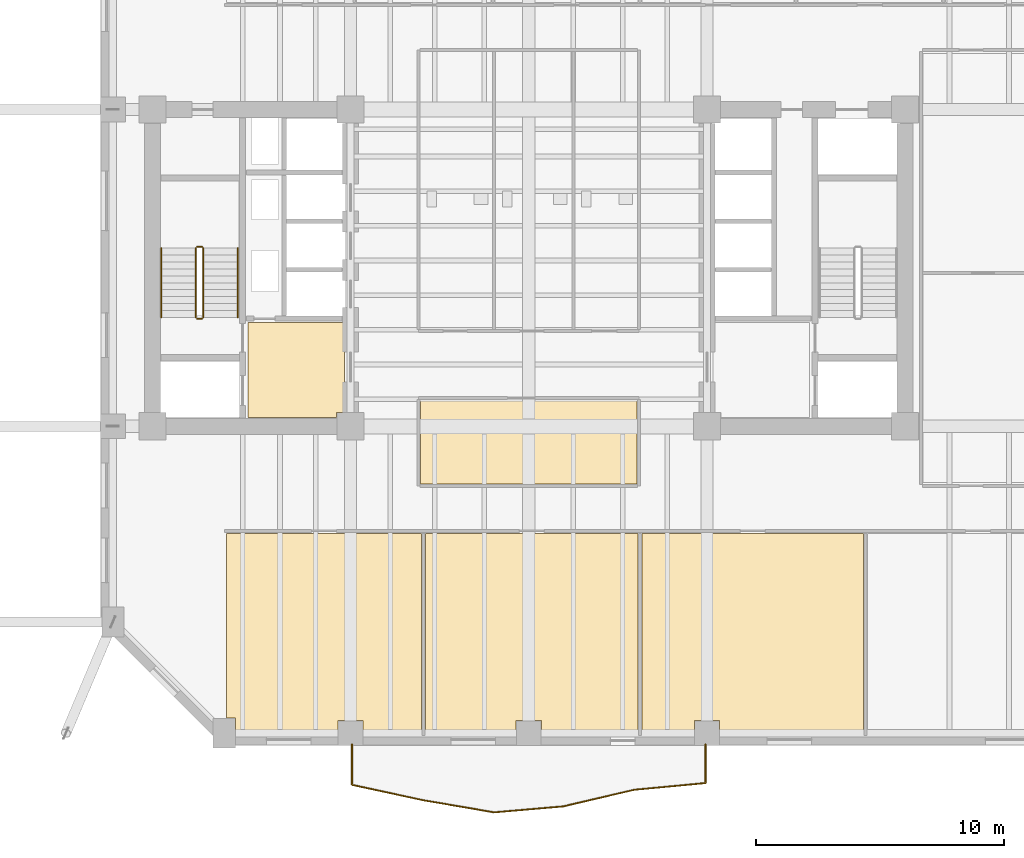
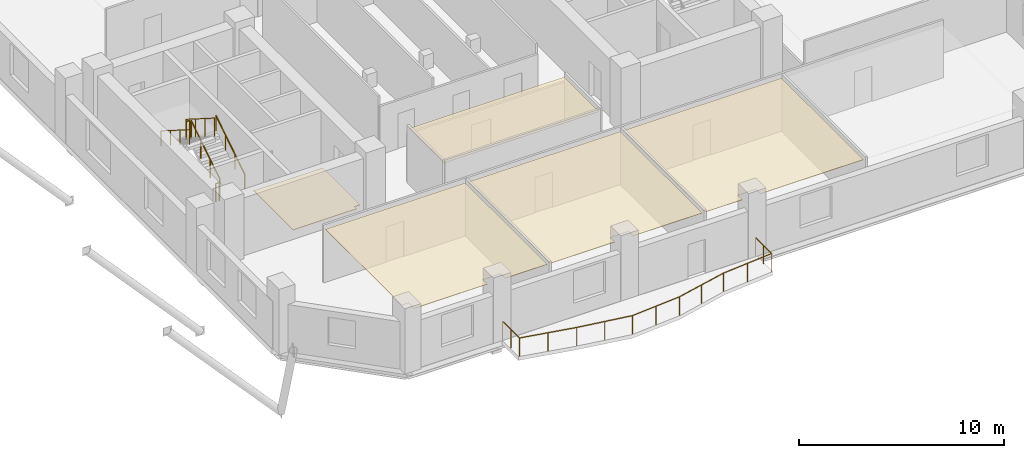
# One storey, part 9 of 12: 7 railings, 5 coverings.
"""IFC4 building model written with IfcOpenShell, lengths in metres."""

from ifc_helpers import new_model, si_unit, direction, frame, origin, origin_2d, place, context, subcontext, project, spatial, polyline, circle, outline, extrude, material, layer, layer_set, type_object, element, save


model = new_model("IFC4")

# Units and contexts
model_context = context("Model", 3, precision=1e-05, world=origin(), true_north=direction((0.0, 1.0)))
body_context = subcontext(model_context, "Body", "Model", "MODEL_VIEW")
ifc_project = project(units=[si_unit("LENGTHUNIT", "METRE"), si_unit("AREAUNIT", "SQUARE_METRE"), si_unit("VOLUMEUNIT", "CUBIC_METRE"), si_unit("PLANEANGLEUNIT", "RADIAN"), si_unit("MASSUNIT", "GRAM", prefix="KILO")], contexts=[model_context])

# Site, building, storey
site_placement = place(None, origin())
site = spatial("IfcSite", under=ifc_project, at=site_placement, CompositionType="ELEMENT")
building_placement = place(site_placement, origin())
building = spatial("IfcBuilding", under=site, at=building_placement, Name="Kranthara Brick Stack", CompositionType="ELEMENT")
storey_placement = place(building_placement, frame((0.0, 0.0, 90.60009765625)))
storey = spatial("IfcBuildingStorey", under=building, at=storey_placement, Name="L22", CompositionType="ELEMENT", Elevation=90.60009765625)

# Coverings
ifc_material_1 = material(Name="Perforated mineral-fibre acoustic ceiling tile", Category="other")
ifc_layer_1 = layer(ifc_material_1, 0.02490234375)
ifc_layer_set_1 = layer_set([ifc_layer_1], Name="Perforated mineral-fibre acoustic ceiling tile")
covering_type_1 = type_object("IfcCoveringType", Name="COV-CEIL-ACOUSTIC", PredefinedType="CEILING", material=ifc_layer_set_1)
covering_1_placement = place(storey_placement, frame((0.0, 0.0, 3.179931640625)))
element("IfcCovering", 1, at=covering_1_placement, inside=storey, type_object=covering_type_1, Name="L22 L22 Central Executive Briefing Room Acoustic Ceiling", PredefinedType="CEILING", context=body_context, shape_type="SweptSolid", body=[
    extrude(outline(polyline([(32.3701171875, 18.47998046875), (32.3701171875, 21.8798828125), (23.6298828125, 21.8798828125), (23.6298828125, 18.47998046875), (32.3701171875, 18.47998046875)])), origin(), (0.0, 0.0, 1.0), 0.02490234375),
])
covering_2_placement = place(storey_placement, frame((0.0, 0.0, 3.179931640625)))
element("IfcCovering", 2, at=covering_2_placement, inside=storey, type_object=covering_type_1, Name="L22 L22 Meeting Room 1 Acoustic Ceiling", PredefinedType="CEILING", context=body_context, shape_type="SweptSolid", body=[
    extrude(outline(polyline([(23.669921875, 16.47998046875), (23.669921875, 8.469970703125), (21.31005859375, 8.469970703125), (21.31005859375, 8.909912109375), (20.2900390625, 8.909912109375), (20.2900390625, 8.469970703125), (16.159912109375, 8.469970703125), (16.159912109375, 9.010009765625), (15.780029296875, 9.010009765625), (15.780029296875, 16.47998046875), (23.669921875, 16.47998046875)])), origin(), (0.0, 0.0, 1.0), 0.02490234375),
])
covering_3_placement = place(storey_placement, frame((0.0, 0.0, 3.179931640625)))
element("IfcCovering", 3, at=covering_3_placement, inside=storey, type_object=covering_type_1, Name="L22 L22 Meeting Room 2 Acoustic Ceiling", PredefinedType="CEILING", context=body_context, shape_type="SweptSolid", body=[
    extrude(outline(polyline([(23.830078125, 8.469970703125), (23.830078125, 16.47998046875), (32.419921875, 16.47998046875), (32.419921875, 8.469970703125), (28.510009765625, 8.469970703125), (28.510009765625, 8.909912109375), (27.489990234375, 8.909912109375), (27.489990234375, 8.469970703125), (23.830078125, 8.469970703125)])), origin(), (0.0, 0.0, 1.0), 0.02490234375),
])
covering_4_placement = place(storey_placement, frame((0.0, 0.0, 3.179931640625)))
element("IfcCovering", 4, at=covering_4_placement, inside=storey, type_object=covering_type_1, Name="L22 L22 Boardroom 3 Acoustic Ceiling", PredefinedType="CEILING", context=body_context, shape_type="SweptSolid", body=[
    extrude(outline(polyline([(32.580078125, 8.469970703125), (32.580078125, 16.47998046875), (41.52001953125, 16.47998046875), (41.52001953125, 8.469970703125), (35.7099609375, 8.469970703125), (35.7099609375, 8.909912109375), (34.68994140625, 8.909912109375), (34.68994140625, 8.469970703125), (32.580078125, 8.469970703125)])), origin(), (0.0, 0.0, 1.0), 0.02490234375),
])
ifc_material_2 = material(Name="Honed terrazzo and porcelain floor finish", Category="stone")
ifc_layer_2 = layer(ifc_material_2, 0.030029296875)
ifc_layer_set_2 = layer_set([ifc_layer_2], Name="Honed terrazzo and porcelain floor finish")
covering_type_2 = type_object("IfcCoveringType", Name="COV-FLOR-STONE", PredefinedType="FLOORING", material=ifc_layer_set_2)
covering_5_placement = place(storey_placement, origin())
element("IfcCovering", 5, at=covering_5_placement, inside=storey, type_object=covering_type_2, Name="L22 Lift Lobby Stone Flooring", PredefinedType="FLOORING", context=body_context, shape_type="SweptSolid", body=[
    extrude(outline(polyline([(16.64990234375, 21.14990234375), (16.64990234375, 25.0), (20.550048828125, 25.0), (20.550048828125, 21.360107421875), (20.239990234375, 21.360107421875), (20.239990234375, 21.14990234375), (16.64990234375, 21.14990234375)])), origin(), (0.0, 0.0, 1.0), 0.02978515625),
])

# Railings
ifc_material_3 = material(Name="Bronze anodised aluminium and laminated glass balustrade", Category="aluminium")
railing_type_1 = type_object("IfcRailingType", Name="RL-BALC-1120", PredefinedType="BALUSTRADE", material=ifc_material_3)
railing_1_placement = place(storey_placement, frame((35.139892578125, 7.9599609375, 0.0)))
element("IfcRailing", 6, at=railing_1_placement, inside=storey, type_object=railing_type_1, Name="L22 South Rippling Balcony Balustrade", PredefinedType="BALUSTRADE", context=body_context, shape_type="SweptSolid", body=[
    extrude(circle(Radius=0.02392578125, at=origin_2d()), frame((0.0, 0.0, 1.09619140625), z_axis=(0.0, -1.0, 0.0), x_axis=(1.0, 0.0, 0.0)), (0.0, 0.0, 1.0), 1.57177734375),
    extrude(circle(Radius=0.02392578125, at=origin_2d()), frame((0.0, -1.57177734375, 1.09619140625), z_axis=(-0.995609679925, -0.09360216472, 0.0), x_axis=(0.09360216472, -0.995609679925, 0.0)), (0.0, 0.0, 1.0), 2.892578125),
    extrude(circle(Radius=0.02392578125, at=origin_2d()), frame((-2.8798828125, -1.842529296875, 1.09619140625), z_axis=(-0.973732347565, -0.227695663785, 0.0), x_axis=(0.227695663785, -0.973732347565, 0.0)), (0.0, 0.0, 1.0), 2.947509765625),
    extrude(circle(Radius=0.02392578125, at=origin_2d()), frame((-5.75, -2.513671875, 1.09619140625), z_axis=(-0.996289283035, -0.086067790194, 0.0), x_axis=(0.086067790194, -0.996289283035, 0.0)), (0.0, 0.0, 1.0), 2.7939453125),
    extrude(circle(Radius=0.02392578125, at=origin_2d()), frame((-8.53369140625, -2.754150390625, 1.09619140625), z_axis=(-0.985748990032, 0.168222854128, 0.0), x_axis=(-0.168222854128, -0.985748990032, 0.0)), (0.0, 0.0, 1.0), 2.908447265625),
    extrude(circle(Radius=0.02392578125, at=origin_2d()), frame((-11.400634765625, -2.264892578125, 1.09619140625), z_axis=(-0.977479825802, 0.211028884634, 0.0), x_axis=(-0.211028884634, -0.977479825802, 0.0)), (0.0, 0.0, 1.0), 2.945556640625),
    extrude(circle(Radius=0.02392578125, at=origin_2d()), frame((-14.27978515625, -1.643310546875, 1.09619140625), z_axis=(0.0, 1.0, 0.0), x_axis=(-1.0, 0.0, 0.0)), (0.0, 0.0, 1.0), 1.643310546875),
    extrude(circle(Radius=0.02099609375, at=origin_2d()), origin(), (0.0, 0.0, 1.0), 1.072021484375),
    extrude(circle(Radius=0.02099609375, at=origin_2d()), frame((0.0, -0.785888671875, 0.0)), (0.0, 0.0, 1.0), 1.072021484375),
    extrude(circle(Radius=0.02099609375, at=origin_2d()), frame((0.0, -1.57177734375, 0.0)), (0.0, 0.0, 1.0), 1.072021484375),
    extrude(circle(Radius=0.02099609375, at=origin_2d()), frame((-1.43994140625, -1.70703125, 0.0)), (0.0, 0.0, 1.0), 1.072021484375),
    extrude(circle(Radius=0.02099609375, at=origin_2d()), frame((-2.8798828125, -1.842529296875, 0.0)), (0.0, 0.0, 1.0), 1.072021484375),
    extrude(circle(Radius=0.02099609375, at=origin_2d()), frame((-4.31494140625, -2.17822265625, 0.0)), (0.0, 0.0, 1.0), 1.072021484375),
    extrude(circle(Radius=0.02099609375, at=origin_2d()), frame((-5.75, -2.513671875, 0.0)), (0.0, 0.0, 1.0), 1.072021484375),
    extrude(circle(Radius=0.02099609375, at=origin_2d()), frame((-7.141845703125, -2.6337890625, 0.0)), (0.0, 0.0, 1.0), 1.072021484375),
    extrude(circle(Radius=0.02099609375, at=origin_2d()), frame((-8.53369140625, -2.754150390625, 0.0)), (0.0, 0.0, 1.0), 1.072021484375),
    extrude(circle(Radius=0.02099609375, at=origin_2d()), frame((-9.96728515625, -2.509521484375, 0.0)), (0.0, 0.0, 1.0), 1.072021484375),
    extrude(circle(Radius=0.02099609375, at=origin_2d()), frame((-11.400634765625, -2.264892578125, 0.0)), (0.0, 0.0, 1.0), 1.072021484375),
    extrude(circle(Radius=0.02099609375, at=origin_2d()), frame((-12.84033203125, -1.9541015625, 0.0)), (0.0, 0.0, 1.0), 1.072021484375),
    extrude(circle(Radius=0.02099609375, at=origin_2d()), frame((-14.27978515625, -1.643310546875, 0.0)), (0.0, 0.0, 1.0), 1.072021484375),
    extrude(circle(Radius=0.02099609375, at=origin_2d()), frame((-14.27978515625, -0.82177734375, 0.0)), (0.0, 0.0, 1.0), 1.072021484375),
    extrude(circle(Radius=0.02099609375, at=origin_2d()), frame((-14.27978515625, 0.0, 0.0)), (0.0, 0.0, 1.0), 1.072021484375),
])
ifc_material_4 = material(Name="Painted galvanized steel stair guardrail", Category="steel")
railing_type_2 = type_object("IfcRailingType", Name="RL-STAIR-GUARD-1100", PredefinedType="GUARDRAIL", material=ifc_material_4)
railing_2_placement = place(storey_placement, frame((14.85009765625, 25.199951171875, 0.17724609375)))
element("IfcRailing", 7, at=railing_2_placement, inside=storey, type_object=railing_type_2, Name="L22 ST01 stair guard 1", PredefinedType="GUARDRAIL", context=body_context, shape_type="SweptSolid", body=[
    extrude(circle(Radius=0.02392578125, at=origin_2d()), frame((0.0, 0.0, 1.076171875), z_axis=(0.0, 0.844908973607, 0.534910110503), x_axis=(-1.0, 0.0, 0.0)), (0.0, 0.0, 1.0), 3.31396484375),
    extrude(circle(Radius=0.02099609375, at=origin_2d()), origin(), (0.0, 0.0, 1.0), 1.052001953125),
    extrude(circle(Radius=0.02099609375, at=origin_2d()), frame((0.0, 0.933349609375, 0.5908203125)), (0.0, 0.0, 1.0), 1.052001953125),
    extrude(circle(Radius=0.02099609375, at=origin_2d()), frame((0.0, 1.86669921875, 1.181884765625)), (0.0, 0.0, 1.0), 1.052001953125),
    extrude(circle(Radius=0.02099609375, at=origin_2d()), frame((0.0, 2.800048828125, 1.772705078125)), (0.0, 0.0, 1.0), 1.052001953125),
])
railing_3_placement = place(storey_placement, frame((14.800048828125, 28.050048828125, 1.949951171875)))
element("IfcRailing", 8, at=railing_3_placement, inside=storey, type_object=railing_type_2, Name="L22 ST01 stair guard 2", PredefinedType="GUARDRAIL", context=body_context, shape_type="SweptSolid", body=[
    extrude(circle(Radius=0.02392578125, at=origin_2d()), frame((0.0, 0.0, 1.076171875), z_axis=(-1.0, 0.0, 0.0), x_axis=(0.0, -1.0, 0.0)), (0.0, 0.0, 1.0), 0.199951171875),
    extrude(circle(Radius=0.02099609375, at=origin_2d()), origin(), (0.0, 0.0, 1.0), 1.052001953125),
    extrude(circle(Radius=0.02099609375, at=origin_2d()), frame((-0.199951171875, 0.0, 0.0)), (0.0, 0.0, 1.0), 1.052001953125),
])
railing_4_placement = place(storey_placement, frame((14.550048828125, 28.0, 2.127197265625)))
element("IfcRailing", 9, at=railing_4_placement, inside=storey, type_object=railing_type_2, Name="L22 ST01 stair guard 3", PredefinedType="GUARDRAIL", context=body_context, shape_type="SweptSolid", body=[
    extrude(circle(Radius=0.02392578125, at=origin_2d()), frame((0.0, 0.0, 1.076171875), z_axis=(0.0, -0.844908973607, 0.534910110503), x_axis=(1.0, 0.0, 0.0)), (0.0, 0.0, 1.0), 3.31396484375),
    extrude(circle(Radius=0.02099609375, at=origin_2d()), origin(), (0.0, 0.0, 1.0), 1.052001953125),
    extrude(circle(Radius=0.02099609375, at=origin_2d()), frame((0.0, -0.933349609375, 0.5908203125)), (0.0, 0.0, 1.0), 1.052001953125),
    extrude(circle(Radius=0.02099609375, at=origin_2d()), frame((0.0, -1.86669921875, 1.181884765625)), (0.0, 0.0, 1.0), 1.052001953125),
    extrude(circle(Radius=0.02099609375, at=origin_2d()), frame((0.0, -2.800048828125, 1.772705078125)), (0.0, 0.0, 1.0), 1.052001953125),
])
railing_5_placement = place(storey_placement, frame((14.800048828125, 25.14990234375, 0.0)))
element("IfcRailing", 10, at=railing_5_placement, inside=storey, type_object=railing_type_2, Name="L22 ST01 stair guard 4", PredefinedType="GUARDRAIL", context=body_context, shape_type="SweptSolid", body=[
    extrude(circle(Radius=0.02392578125, at=origin_2d()), frame((0.0, 0.0, 1.076171875), z_axis=(-1.0, 0.0, 0.0), x_axis=(0.0, -1.0, 0.0)), (0.0, 0.0, 1.0), 0.199951171875),
    extrude(circle(Radius=0.02099609375, at=origin_2d()), origin(), (0.0, 0.0, 1.0), 1.052001953125),
    extrude(circle(Radius=0.02099609375, at=origin_2d()), frame((-0.199951171875, 0.0, 0.0)), (0.0, 0.0, 1.0), 1.052001953125),
])
ifc_material_5 = material(Name="Brushed stainless steel tubular handrail", Category="steel")
railing_type_3 = type_object("IfcRailingType", Name="RL-STAIR-HAND-900", PredefinedType="HANDRAIL", material=ifc_material_5)
railing_6_placement = place(storey_placement, frame((16.25, 25.199951171875, 0.17724609375)))
element("IfcRailing", 11, at=railing_6_placement, inside=storey, type_object=railing_type_3, Name="L22 ST01 stair handrail 1", PredefinedType="HANDRAIL", context=body_context, shape_type="SweptSolid", body=[
    extrude(circle(Radius=0.02392578125, at=origin_2d()), frame((0.0, 0.0, 0.8759765625), z_axis=(0.0, 0.844908973607, 0.534910110503), x_axis=(-1.0, 0.0, 0.0)), (0.0, 0.0, 1.0), 3.31396484375),
    extrude(circle(Radius=0.02099609375, at=origin_2d()), origin(), (0.0, 0.0, 1.0), 0.851806640625),
    extrude(circle(Radius=0.02099609375, at=origin_2d()), frame((0.0, 0.933349609375, 0.5908203125)), (0.0, 0.0, 1.0), 0.851806640625),
    extrude(circle(Radius=0.02099609375, at=origin_2d()), frame((0.0, 1.86669921875, 1.181884765625)), (0.0, 0.0, 1.0), 0.851806640625),
    extrude(circle(Radius=0.02099609375, at=origin_2d()), frame((0.0, 2.800048828125, 1.772705078125)), (0.0, 0.0, 1.0), 0.851806640625),
])
railing_7_placement = place(storey_placement, frame((13.14990234375, 28.0, 2.127197265625)))
element("IfcRailing", 12, at=railing_7_placement, inside=storey, type_object=railing_type_3, Name="L22 ST01 stair handrail 2", PredefinedType="HANDRAIL", context=body_context, shape_type="SweptSolid", body=[
    extrude(circle(Radius=0.02392578125, at=origin_2d()), frame((0.0, 0.0, 0.8759765625), z_axis=(0.0, -0.844908973607, 0.534910110503), x_axis=(1.0, 0.0, 0.0)), (0.0, 0.0, 1.0), 3.31396484375),
    extrude(circle(Radius=0.02099609375, at=origin_2d()), origin(), (0.0, 0.0, 1.0), 0.851806640625),
    extrude(circle(Radius=0.02099609375, at=origin_2d()), frame((0.0, -0.933349609375, 0.5908203125)), (0.0, 0.0, 1.0), 0.851806640625),
    extrude(circle(Radius=0.02099609375, at=origin_2d()), frame((0.0, -1.86669921875, 1.181884765625)), (0.0, 0.0, 1.0), 0.851806640625),
    extrude(circle(Radius=0.02099609375, at=origin_2d()), frame((0.0, -2.800048828125, 1.772705078125)), (0.0, 0.0, 1.0), 0.851806640625),
])

save(model, "model.ifc")
